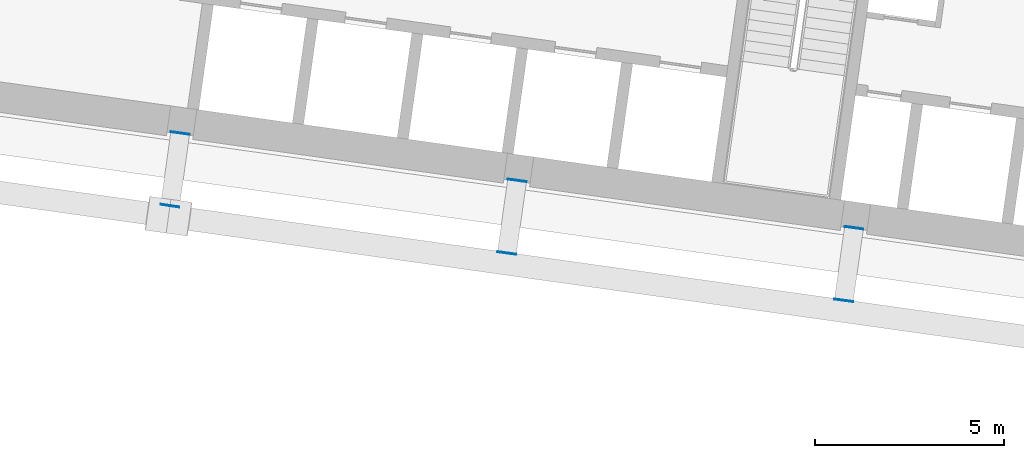
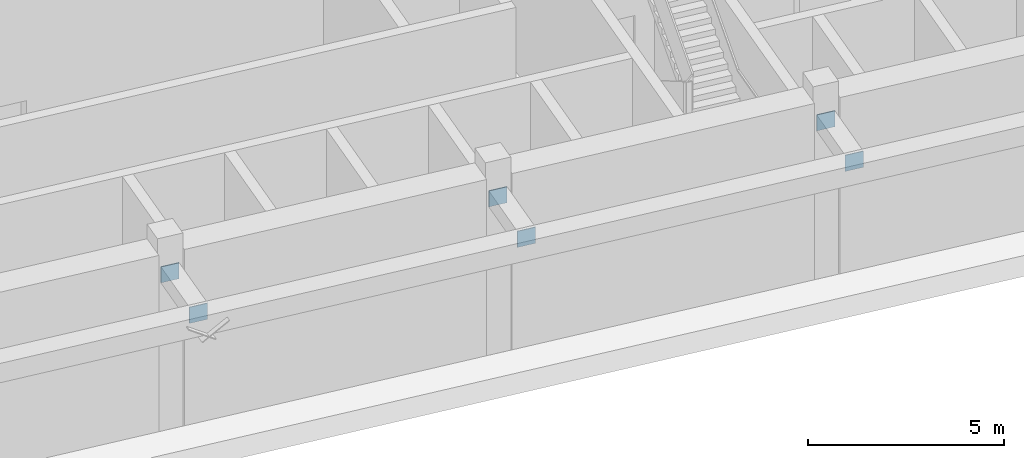
# One storey, part 30 of 41: 6 discrete accessories.
"""IFC4 building model written with IfcOpenShell, lengths in metres."""

from ifc_helpers import new_model, si_unit, direction, frame, origin, origin_2d, place, context, subcontext, project, spatial, rectangle, extrude, material, material_profile, profile_set, type_object, element, save


model = new_model("IFC4")

# Units and contexts
model_context = context("Model", 3, precision=1e-05, world=origin(), true_north=direction((0.0, 1.0)))
body_context = subcontext(model_context, "Body", "Model", "MODEL_VIEW")
ifc_project = project(units=[si_unit("LENGTHUNIT", "METRE"), si_unit("AREAUNIT", "SQUARE_METRE"), si_unit("VOLUMEUNIT", "CUBIC_METRE"), si_unit("PLANEANGLEUNIT", "RADIAN"), si_unit("MASSUNIT", "GRAM", prefix="KILO")], contexts=[model_context])

# Site, building, storey
site_placement = place(None, origin())
site = spatial("IfcSite", under=ifc_project, at=site_placement, CompositionType="ELEMENT")
building_placement = place(site_placement, origin())
building = spatial("IfcBuilding", under=site, at=building_placement, Name="Mirante Cascada Hotel Towers", CompositionType="ELEMENT")
storey_placement = place(building_placement, frame((0.0, 0.0, 92.7)))
storey = spatial("IfcBuildingStorey", under=building, at=storey_placement, Name="L20", CompositionType="ELEMENT", Elevation=92.7)

# Discrete accessories
ifc_material = material(Name="Steel ASTM A572 Gr 50", Category="steel")
ifc_material_profile = material_profile(ifc_material, rectangle(XDim=0.5, YDim=0.5, at=origin_2d()), Name="Connection plate 500x500x25 ASTM A572 Gr 50")
ifc_profile_set = profile_set([ifc_material_profile], Name="Steel ASTM A572 Gr 50")
discrete_accessory_type = type_object("IfcDiscreteAccessoryType", Name="Connection plate 500x500x25 ASTM A572 Gr 50", PredefinedType="BRACKET", material=ifc_profile_set)
discrete_accessory_placement = place(storey_placement, frame((-50.4368, -18.0797, 4.85), z_axis=(-0.1358263, -0.9907327, 0.0), x_axis=(0.9907327, -0.1358263, 0.0)))
element("IfcDiscreteAccessory", 1, at=discrete_accessory_placement, inside=storey, type_object=discrete_accessory_type, Name="Connection plate TIE", PredefinedType="BRACKET", context=body_context, shape_type="SweptSolid", body=[
    extrude(rectangle(XDim=0.5, YDim=0.5, at=origin_2d()), origin(), (0.0, 0.0, 1.0), 0.025),
])
for number, where, z_axis, x_axis, name in (
    (2, (-50.7068, -20.0009, 4.85), (-0.136366, -0.9906585, 0.0), (0.9906585, -0.136366, 0.0), "Connection plate TIE"),
    (3, (-59.3492, -16.8272, 4.85), (-0.136366, -0.9906585, 0.0), (0.9906585, -0.136366, 0.0), "Connection plate TIE"),
):
    element("IfcDiscreteAccessory", number, at=place(storey_placement, frame(where, z_axis=z_axis, x_axis=x_axis)), inside=storey, type_object=discrete_accessory_type, Name=name, PredefinedType="BRACKET", context=body_context, shape_type="SweptSolid", body=[
        extrude(rectangle(XDim=0.5, YDim=0.5, at=origin_2d()), origin(), (0.0, 0.0, 1.0), 0.0249),
    ])
for number, where, z_axis, x_axis, name in (
    (4, (-59.6192, -18.7483, 4.85), (-0.1358263, -0.9907327, 0.0), (0.9907327, -0.1358263, 0.0), "Connection plate TIE"),
    (5, (-68.2616, -15.5746, 4.85), (-0.1397442, -0.9901876, 0.0), (0.9901876, -0.1397442, 0.0), "Connection plate TIE"),
    (6, (-68.5316, -17.4957, 4.85), (-0.1397442, -0.9901876, 0.0), (0.9901876, -0.1397442, 0.0), "Connection plate TIE"),
):
    element("IfcDiscreteAccessory", number, at=place(storey_placement, frame(where, z_axis=z_axis, x_axis=x_axis)), inside=storey, type_object=discrete_accessory_type, Name=name, PredefinedType="BRACKET", context=body_context, shape_type="SweptSolid", body=[
        extrude(rectangle(XDim=0.5, YDim=0.5, at=origin_2d()), origin(), (0.0, 0.0, 1.0), 0.025),
    ])

save(model, "model.ifc")
